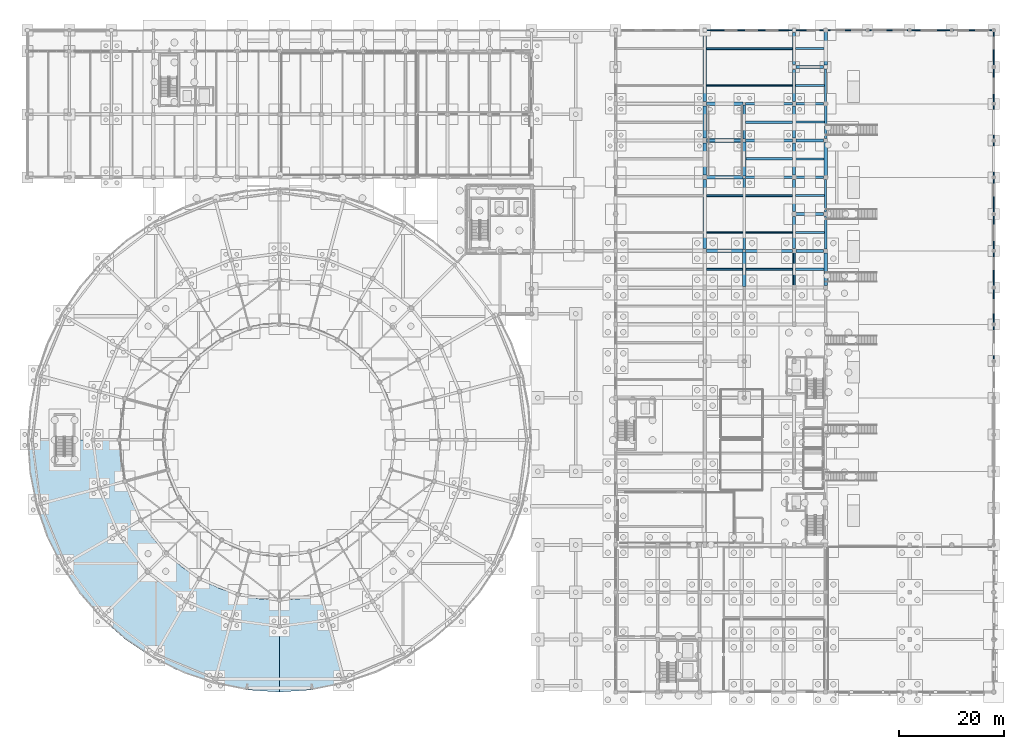
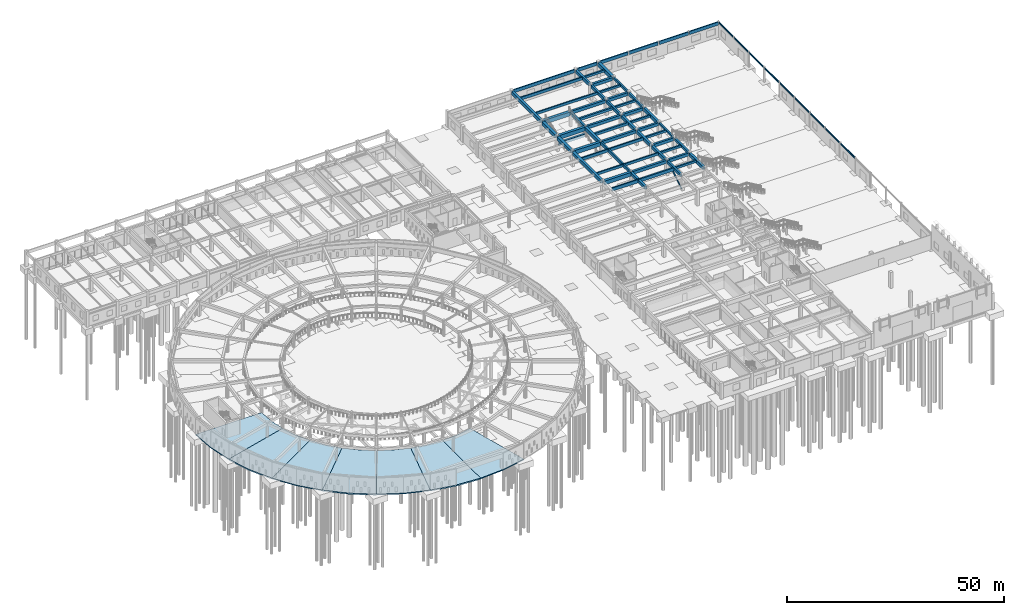
# One storey, part 36 of 84: 66 beams, 7 slabs, 1 member.
"""IFC4 building model written with IfcOpenShell, lengths in metres."""

import ifcopenshell
import ifcopenshell.guid

model = None  # the IFC model being written
_history = None  # IfcOwnerHistory: only IFC2X3 demands one
_inside = {}  # id of a spatial element -> (the spatial element, [elements in it])
_under = {}  # id of a project, library or spatial element -> (it, [spatial elements below it])
_declared = {}  # id of a project -> (the project, [libraries it declares])
_typed = {}  # id of a type object -> (the type object, [elements of that type])
_made_of = {}  # id of a material, layer set ... -> (it, [elements and type objects made of it])


def new_model(schema):
    """Start an empty IFC model of exactly this schema.

    Asked for "IFC4X3", IfcOpenShell would pick the latest addendum, in which some entities
    have other attributes; the version numbers below select the first issue.
    IFC2X3 requires an IfcOwnerHistory on every rooted entity: one is made here for all.
    """
    global model, _history
    if schema == "IFC4X3":
        model = ifcopenshell.file(schema_version=(4, 3, 0, 0))
    else:
        model = ifcopenshell.file(schema=schema)
    _inside.clear()
    _under.clear()
    _declared.clear()
    _typed.clear()
    _made_of.clear()
    _history = None
    if model.schema == "IFC2X3":
        org = make("IfcOrganization", Name="unknown")
        user = make(
            "IfcPersonAndOrganization",
            ThePerson=make("IfcPerson", FamilyName="unknown"),
            TheOrganization=org,
        )
        app = make(
            "IfcApplication",
            ApplicationDeveloper=org,
            Version="unknown",
            ApplicationFullName="unknown",
            ApplicationIdentifier="unknown",
        )
        _history = make(
            "IfcOwnerHistory",
            OwningUser=user,
            OwningApplication=app,
            ChangeAction="ADDED",
            CreationDate=0,
        )
    return model


def make(cls, **values):
    """One entity of the class cls with the attributes given. An attribute that is None is left unset."""
    return model.create_entity(
        cls, **{name: value for name, value in values.items() if value is not None}
    )


def rooted(cls, **values):
    """An entity with a GlobalId (a new one), such as an element, a storey or a relation."""
    return make(cls, GlobalId=ifcopenshell.guid.new(), OwnerHistory=_history, **values)


def si_unit(unit_type, name, prefix=None):
    """IfcSIUnit, for example si_unit("LENGTHUNIT", "METRE", prefix="MILLI")."""
    return make("IfcSIUnit", UnitType=unit_type, Prefix=prefix, Name=name)


def assignment(units):
    """IfcUnitAssignment: the units of a project."""
    return None if units is None else make("IfcUnitAssignment", Units=units)


def point(xyz):
    """IfcCartesianPoint."""
    return None if xyz is None else make("IfcCartesianPoint", Coordinates=xyz)


def direction(xyz):
    """IfcDirection."""
    return None if xyz is None else make("IfcDirection", DirectionRatios=xyz)


def frame(location, z_axis=None, x_axis=None):
    """IfcAxis2Placement3D, a coordinate frame: its origin and axes. An axis left out is left unset."""
    return make(
        "IfcAxis2Placement3D",
        Location=point(location),
        Axis=direction(z_axis),
        RefDirection=direction(x_axis),
    )


def frame_2d(location, x_axis=None):
    """IfcAxis2Placement2D, a coordinate frame in the plane: its origin and x axis."""
    return make(
        "IfcAxis2Placement2D", Location=point(location), RefDirection=direction(x_axis)
    )


def origin():
    """The frame at (0, 0, 0) with its axes left unset."""
    return frame((0.0, 0.0, 0.0))


def origin_2d():
    """The frame at (0, 0) in the plane with its x axis left unset."""
    return frame_2d((0.0, 0.0))


def place(relative_to, where):
    """IfcLocalPlacement: puts the frame where relative to a parent placement (None: the world)."""
    return make(
        "IfcLocalPlacement", PlacementRelTo=relative_to, RelativePlacement=where
    )


def context(
    kind, dimensions, precision=None, world=None, true_north=None, identifier=None
):
    """IfcGeometricRepresentationContext, for example the 3D "Model" context."""
    return make(
        "IfcGeometricRepresentationContext",
        ContextIdentifier=identifier,
        ContextType=kind,
        CoordinateSpaceDimension=dimensions,
        Precision=precision,
        WorldCoordinateSystem=world,
        TrueNorth=true_north,
    )


def subcontext(parent, identifier, kind, view, scale=None):
    """IfcGeometricRepresentationSubContext, for example "Body" below "Model"."""
    return make(
        "IfcGeometricRepresentationSubContext",
        ContextIdentifier=identifier,
        ContextType=kind,
        ParentContext=parent,
        TargetScale=scale,
        TargetView=view,
    )


def project(units=None, contexts=None):
    """IfcProject with its units and contexts."""
    return rooted(
        "IfcProject",
        Name="project",
        RepresentationContexts=contexts,
        UnitsInContext=assignment(units),
    )


def spatial(cls, under=None, at=None, **own):
    """A site, building, storey or space (cls), placed at a placement, below another one or the project."""
    s = rooted(cls, ObjectPlacement=at, **own)
    if under is not None:
        _under.setdefault(under.id(), (under, []))[1].append(s)
    return s


def polyline(points):
    """IfcPolyline through the points."""
    return make("IfcPolyline", Points=[point(p) for p in points])


def profile(cls, at=None, kind="AREA", **sizes):
    """A parametric profile (cls). Its sizes go by their IFC names, for example OverallWidth=200.0."""
    return make(cls, ProfileType=kind, Position=at, **sizes)


def rectangle(**sizes):
    """IfcRectangleProfileDef."""
    return profile("IfcRectangleProfileDef", **sizes)


def i_section(**sizes):
    """IfcIShapeProfileDef."""
    return profile("IfcIShapeProfileDef", **sizes)


def outline(outer, holes=None, kind="AREA"):
    """IfcArbitraryClosedProfileDef: a profile drawn as a closed curve; with holes, ...WithVoids."""
    if holes is None:
        return make("IfcArbitraryClosedProfileDef", ProfileType=kind, OuterCurve=outer)
    return make(
        "IfcArbitraryProfileDefWithVoids",
        ProfileType=kind,
        OuterCurve=outer,
        InnerCurves=holes,
    )


def extrude(swept, where, along, depth):
    """IfcExtrudedAreaSolid: the profile swept, set in the frame where, extruded along a direction by depth."""
    return make(
        "IfcExtrudedAreaSolid",
        SweptArea=swept,
        Position=where,
        ExtrudedDirection=direction(along),
        Depth=depth,
    )


def shape(context_of_items, identifier, shape_type, items):
    """IfcShapeRepresentation: the items that make up one representation, for example the "Body"."""
    return make(
        "IfcShapeRepresentation",
        ContextOfItems=context_of_items,
        RepresentationIdentifier=identifier,
        RepresentationType=shape_type,
        Items=items,
    )


def material(Name=None, Category=None):
    """IfcMaterial."""
    return make("IfcMaterial", Name=Name, Category=Category)


def layer(
    of_material, thickness, ventilated=None, Name=None, Category=None, Priority=None
):
    """IfcMaterialLayer: one layer of a wall or slab, of a material (None: an air gap)."""
    return make(
        "IfcMaterialLayer",
        Material=of_material,
        LayerThickness=thickness,
        IsVentilated=ventilated,
        Name=Name,
        Category=Category,
        Priority=Priority,
    )


def layer_set(layers, Name=None):
    """IfcMaterialLayerSet."""
    return make("IfcMaterialLayerSet", MaterialLayers=layers, LayerSetName=Name)


def material_profile(
    of_material, cross_section, Name=None, Category=None, Priority=None
):
    """IfcMaterialProfile: a cross section and its material."""
    return make(
        "IfcMaterialProfile",
        Name=Name,
        Material=of_material,
        Profile=cross_section,
        Priority=Priority,
        Category=Category,
    )


def profile_set(profiles, Name=None, composite=None):
    """IfcMaterialProfileSet."""
    return make(
        "IfcMaterialProfileSet",
        Name=Name,
        MaterialProfiles=profiles,
        CompositeProfile=composite,
    )


def made_of(thing, what):
    """Note that an element or type object is made of a material, layer set ...; save() writes the relation."""
    if what is not None:
        _made_of.setdefault(what.id(), (what, []))[1].append(thing)
    return thing


def type_object(cls, material=None, **own):
    """A type object (cls), such as IfcWallType, which elements share."""
    return made_of(rooted(cls, **own), material)


def element(
    cls,
    number,
    at=None,
    inside=None,
    cuts=None,
    type_object=None,
    material=None,
    context=None,
    identifier="Body",
    shape_type=None,
    held_by="IfcProductDefinitionShape",
    body=None,
    shapes=None,
    **own,
):
    """One element of the class cls, such as IfcWall. Its Tag is "e" and its number.

    at: its placement. inside: the storey or other place that contains it. cuts: it is an
    opening in that element (IfcRelVoidsElement). A single representation is given by context,
    identifier, shape_type and body (its items); several are given by shapes. held_by: the class
    of the entity that holds the representations. save() writes the other relations.
    """
    e = rooted(cls, Tag="e%d" % number, ObjectPlacement=at, **own)
    if body is not None:
        shapes = [shape(context, identifier, shape_type, body)]
    if shapes is not None:
        e.Representation = make(held_by, Representations=shapes)
    if inside is not None:
        _inside.setdefault(inside.id(), (inside, []))[1].append(e)
    if cuts is not None:
        rooted(
            "IfcRelVoidsElement", RelatingBuildingElement=cuts, RelatedOpeningElement=e
        )
    if type_object is not None:
        _typed.setdefault(type_object.id(), (type_object, []))[1].append(e)
    return made_of(e, material)


def aggregate(whole, parts):
    """IfcRelAggregates: a whole, such as a stair, and the parts it consists of."""
    return rooted("IfcRelAggregates", RelatingObject=whole, RelatedObjects=parts)


def save(model, path):
    """Write the relations noted so far, then the file.

    IfcRelAggregates (storeys below a building ...), IfcRelContainedInSpatialStructure (elements
    in a storey), IfcRelDefinesByType, IfcRelAssociatesMaterial and IfcRelDeclares: one each for
    every whole, place, type object, material and project.
    """
    for whole, parts in _under.values():
        aggregate(whole, parts)
    for where, things in _inside.values():
        rooted(
            "IfcRelContainedInSpatialStructure",
            RelatedElements=things,
            RelatingStructure=where,
        )
    for kind, things in _typed.values():
        rooted("IfcRelDefinesByType", RelatedObjects=things, RelatingType=kind)
    for what, things in _made_of.values():
        rooted("IfcRelAssociatesMaterial", RelatedObjects=things, RelatingMaterial=what)
    for by, libraries in _declared.values():
        rooted("IfcRelDeclares", RelatingContext=by, RelatedDefinitions=libraries)
    model.write(path)


model = new_model("IFC4")

# Units and contexts
model_context = context("Model", 3, precision=1e-05, world=origin(), true_north=direction((0.0, 1.0)))
body_context = subcontext(model_context, "Body", "Model", "MODEL_VIEW")
ifc_project = project(units=[si_unit("LENGTHUNIT", "METRE"), si_unit("AREAUNIT", "SQUARE_METRE"), si_unit("VOLUMEUNIT", "CUBIC_METRE"), si_unit("PLANEANGLEUNIT", "RADIAN"), si_unit("MASSUNIT", "GRAM", prefix="KILO")], contexts=[model_context])

# Site, building, storey
site_placement = place(None, origin())
site = spatial("IfcSite", under=ifc_project, at=site_placement, CompositionType="ELEMENT")
building_placement = place(site_placement, origin())
building = spatial("IfcBuilding", under=site, at=building_placement, Name="Larkveld Mobility Hub", CompositionType="ELEMENT")
storey_placement = place(building_placement, origin())
storey = spatial("IfcBuildingStorey", under=building, at=storey_placement, Name="L00", CompositionType="ELEMENT", Elevation=0.0)

# Beams
ifc_material_1 = material(Name="Precast concrete C50/60", Category="concrete")
ifc_material_profile_1 = material_profile(ifc_material_1, rectangle(XDim=0.300048828125, YDim=0.699951171875, at=origin_2d()), Name="PC DT 300x700")
ifc_profile_set_1 = profile_set([ifc_material_profile_1], Name="Precast concrete C50/60")
beam_type_1 = type_object("IfcBeamType", Name="BM-DT3070", PredefinedType="T_BEAM", material=ifc_profile_set_1)
for number, where, z_axis, x_axis, name in (
    (1, (129.320068359375, 87.5, 3.919921875), (1.0, 0.0, 0.0), (0.0, 1.0, 0.0), "Precast Double-Tee Stem L00-1032"),
    (2, (129.320068359375, 115.5, 3.919921875), (1.0, 0.0, 0.0), (0.0, 1.0, 0.0), "Precast Double-Tee Stem L00-1044"),
):
    element("IfcBeam", number, at=place(storey_placement, frame(where, z_axis=z_axis, x_axis=x_axis)), inside=storey, type_object=beam_type_1, Name=name, PredefinedType="T_BEAM", context=body_context, shape_type="SweptSolid", body=[
        extrude(rectangle(XDim=0.300048828125, YDim=0.699951171875, at=origin_2d()), origin(), (0.0, 0.0, 1.0), 16.409912109375),
    ])
ifc_material_profile_2 = material_profile(ifc_material_1, rectangle(XDim=0.340087890625, YDim=0.800048828125, at=origin_2d()), Name="PC DT 340x800")
ifc_profile_set_2 = profile_set([ifc_material_profile_2], Name="Precast concrete C50/60")
beam_type_2 = type_object("IfcBeamType", Name="BM-DT3480", PredefinedType="T_BEAM", material=ifc_profile_set_2)
for number, where, z_axis, x_axis, name in (
    (3, (129.320068359375, 94.5, 3.8701171875), (1.0, 0.0, 0.0), (0.0, 1.0, 0.0), "Precast Double-Tee Stem L00-1035"),
    (4, (129.320068359375, 122.5, 3.8701171875), (1.0, 0.0, 0.0), (0.0, 1.0, 0.0), "Precast Double-Tee Stem L00-1047"),
):
    element("IfcBeam", number, at=place(storey_placement, frame(where, z_axis=z_axis, x_axis=x_axis)), inside=storey, type_object=beam_type_2, Name=name, PredefinedType="T_BEAM", context=body_context, shape_type="SweptSolid", body=[
        extrude(rectangle(XDim=0.340087890625, YDim=0.800048828125, at=origin_2d()), origin(), (0.0, 0.0, 1.0), 16.409912109375),
    ])
ifc_material_profile_3 = material_profile(ifc_material_1, rectangle(XDim=0.3798828125, YDim=0.89990234375, at=origin_2d()), Name="PC DT 380x900")
ifc_profile_set_3 = profile_set([ifc_material_profile_3], Name="Precast concrete C50/60")
beam_type_3 = type_object("IfcBeamType", Name="BM-DT3890", PredefinedType="T_BEAM", material=ifc_profile_set_3)
beam_1_placement = place(storey_placement, frame((129.320068359375, 80.5, 3.820068359375), z_axis=(1.0, 0.0, 0.0), x_axis=(0.0, 1.0, 0.0)))
element("IfcBeam", 5, at=beam_1_placement, inside=storey, type_object=beam_type_3, Name="Precast Double-Tee Stem L00-1029", PredefinedType="T_BEAM", context=body_context, shape_type="SweptSolid", body=[
    extrude(rectangle(XDim=0.3798828125, YDim=0.89990234375, at=origin_2d()), origin(), (0.0, 0.0, 1.0), 16.409912109375),
])
ifc_material_profile_4 = material_profile(ifc_material_1, rectangle(XDim=0.64990234375, YDim=0.949951171875, at=origin_2d()), Name="PC ITB 650x950")
ifc_profile_set_4 = profile_set([ifc_material_profile_4], Name="Precast concrete C50/60")
beam_type_4 = type_object("IfcBeamType", Name="BM-ITB6595", PredefinedType="T_BEAM", material=ifc_profile_set_4)
beam_2_placement = place(storey_placement, frame((129.0, 84.449951171875, 3.784912109375), z_axis=(0.0, 1.0, 0.0), x_axis=(-1.0, 0.0, 0.0)))
element("IfcBeam", 6, at=beam_2_placement, inside=storey, type_object=beam_type_4, Name="Primary N-S Girder L00-0186", PredefinedType="T_BEAM", context=body_context, shape_type="SweptSolid", body=[
    extrude(rectangle(XDim=0.64990234375, YDim=0.949951171875, at=origin_2d()), origin(), (0.0, 0.0, 1.0), 13.10009765625),
])
for number, where, z_axis, x_axis, name in (
    (7, (129.0, 98.449951171875, 3.784912109375), (0.0, 1.0, 0.0), (-1.0, 0.0, 0.0), "Primary N-S Girder L00-0187"),
    (8, (129.0, 105.449951171875, 3.784912109375), (0.0, 1.0, 0.0), (-1.0, 0.0, 0.0), "Primary N-S Girder L00-0188"),
):
    element("IfcBeam", number, at=place(storey_placement, frame(where, z_axis=z_axis, x_axis=x_axis)), inside=storey, type_object=beam_type_4, Name=name, PredefinedType="T_BEAM", context=body_context, shape_type="SweptSolid", body=[
        extrude(rectangle(XDim=0.64990234375, YDim=0.949951171875, at=origin_2d()), origin(), (0.0, 0.0, 1.0), 6.10009765625),
    ])
beam_3_placement = place(storey_placement, frame((129.0, 112.449951171875, 3.784912109375), z_axis=(0.0, 1.0, 0.0), x_axis=(-1.0, 0.0, 0.0)))
element("IfcBeam", 9, at=beam_3_placement, inside=storey, type_object=beam_type_4, Name="Primary N-S Girder L00-0189", PredefinedType="T_BEAM", context=body_context, shape_type="SweptSolid", body=[
    extrude(rectangle(XDim=0.64990234375, YDim=0.949951171875, at=origin_2d()), origin(), (0.0, 0.0, 1.0), 13.10009765625),
])
ifc_material_2 = material(Name="Concrete C40/50", Category="concrete")
ifc_material_profile_5 = material_profile(ifc_material_2, rectangle(XDim=0.39990234375, YDim=0.60009765625, at=origin_2d()), Name="RC BM 400x600")
ifc_profile_set_5 = profile_set([ifc_material_profile_5], Name="Concrete C40/50")
beam_type_5 = type_object("IfcBeamType", Name="BM-RC4060", PredefinedType="BEAM", material=ifc_profile_set_5)
beam_4_placement = place(storey_placement, frame((152.0, 91.375, 3.9599609375), z_axis=(0.0, 1.0, 0.0), x_axis=(-1.0, 0.0, 0.0)))
element("IfcBeam", 10, at=beam_4_placement, inside=storey, type_object=beam_type_5, Name="Primary N-S Girder L00-0223", PredefinedType="BEAM", context=body_context, shape_type="SweptSolid", body=[
    extrude(rectangle(XDim=0.39990234375, YDim=0.60009765625, at=origin_2d()), origin(), (0.0, 0.0, 1.0), 6.25),
])
beam_5_placement = place(storey_placement, frame((146.27001953125, 80.5, 3.969970703125), z_axis=(1.0, 0.0, 0.0), x_axis=(0.0, 1.0, 0.0)))
element("IfcBeam", 11, at=beam_5_placement, inside=storey, type_object=beam_type_5, Name="Concourse Spine Joist L00-1030", PredefinedType="BEAM", context=body_context, shape_type="SweptSolid", body=[
    extrude(rectangle(XDim=0.39990234375, YDim=0.60009765625, at=origin_2d()), origin(), (0.0, 0.0, 1.0), 5.43505859375),
])
beam_6_placement = place(storey_placement, frame((146.27001953125, 87.5, 3.969970703125), z_axis=(1.0, 0.0, 0.0), x_axis=(0.0, 1.0, 0.0)))
element("IfcBeam", 12, at=beam_6_placement, inside=storey, type_object=beam_type_5, Name="Concourse Spine Joist L00-1033", PredefinedType="BEAM", context=body_context, shape_type="SweptSolid", body=[
    extrude(rectangle(XDim=0.39990234375, YDim=0.60009765625, at=origin_2d()), origin(), (0.0, 0.0, 1.0), 5.510009765625),
])
beam_7_placement = place(storey_placement, frame((146.27001953125, 94.5, 3.969970703125), z_axis=(1.0, 0.0, 0.0), x_axis=(0.0, 1.0, 0.0)))
element("IfcBeam", 13, at=beam_7_placement, inside=storey, type_object=beam_type_5, Name="Concourse Spine Joist L00-1036", PredefinedType="BEAM", context=body_context, shape_type="SweptSolid", body=[
    extrude(rectangle(XDim=0.39990234375, YDim=0.60009765625, at=origin_2d()), origin(), (0.0, 0.0, 1.0), 5.534912109375),
])
beam_8_placement = place(storey_placement, frame((146.27001953125, 101.5, 3.969970703125), z_axis=(1.0, 0.0, 0.0), x_axis=(0.0, 1.0, 0.0)))
element("IfcBeam", 14, at=beam_8_placement, inside=storey, type_object=beam_type_5, Name="Concourse Spine Joist L00-1039", PredefinedType="BEAM", context=body_context, shape_type="SweptSolid", body=[
    extrude(rectangle(XDim=0.39990234375, YDim=0.60009765625, at=origin_2d()), origin(), (0.0, 0.0, 1.0), 5.409912109375),
])
beam_9_placement = place(storey_placement, frame((146.27001953125, 108.5, 3.969970703125), z_axis=(1.0, 0.0, 0.0), x_axis=(0.0, 1.0, 0.0)))
element("IfcBeam", 15, at=beam_9_placement, inside=storey, type_object=beam_type_5, Name="Concourse Spine Joist L00-1042", PredefinedType="BEAM", context=body_context, shape_type="SweptSolid", body=[
    extrude(rectangle(XDim=0.39990234375, YDim=0.60009765625, at=origin_2d()), origin(), (0.0, 0.0, 1.0), 5.48486328125),
])
beam_10_placement = place(storey_placement, frame((146.27001953125, 115.5, 3.969970703125), z_axis=(1.0, 0.0, 0.0), x_axis=(0.0, 1.0, 0.0)))
element("IfcBeam", 16, at=beam_10_placement, inside=storey, type_object=beam_type_5, Name="Concourse Spine Joist L00-1045", PredefinedType="BEAM", context=body_context, shape_type="SweptSolid", body=[
    extrude(rectangle(XDim=0.39990234375, YDim=0.60009765625, at=origin_2d()), origin(), (0.0, 0.0, 1.0), 5.534912109375),
])
beam_11_placement = place(storey_placement, frame((146.27001953125, 122.5, 3.969970703125), z_axis=(1.0, 0.0, 0.0), x_axis=(0.0, 1.0, 0.0)))
element("IfcBeam", 17, at=beam_11_placement, inside=storey, type_object=beam_type_5, Name="Concourse Spine Joist L00-1048", PredefinedType="BEAM", context=body_context, shape_type="SweptSolid", body=[
    extrude(rectangle(XDim=0.39990234375, YDim=0.60009765625, at=origin_2d()), origin(), (0.0, 0.0, 1.0), 5.385009765625),
])
ifc_material_profile_6 = material_profile(ifc_material_2, rectangle(XDim=0.39990234375, YDim=0.64990234375, at=origin_2d()), Name="RC BM 400x650")
ifc_profile_set_6 = profile_set([ifc_material_profile_6], Name="Concrete C40/50")
beam_type_6 = type_object("IfcBeamType", Name="BM-RC4065", PredefinedType="BEAM", material=ifc_profile_set_6)
beam_12_placement = place(storey_placement, frame((152.0, 112.375, 3.93505859375), z_axis=(0.0, 1.0, 0.0), x_axis=(-1.0, 0.0, 0.0)))
element("IfcBeam", 18, at=beam_12_placement, inside=storey, type_object=beam_type_6, Name="Primary N-S Girder L00-0226", PredefinedType="BEAM", context=body_context, shape_type="SweptSolid", body=[
    extrude(rectangle(XDim=0.39990234375, YDim=0.64990234375, at=origin_2d()), origin(), (0.0, 0.0, 1.0), 6.25),
])
ifc_material_profile_7 = material_profile(ifc_material_2, rectangle(XDim=0.449951171875, YDim=0.699951171875, at=origin_2d()), Name="RC BM 450x700")
ifc_profile_set_7 = profile_set([ifc_material_profile_7], Name="Concrete C40/50")
beam_type_7 = type_object("IfcBeamType", Name="BM-RC4570", PredefinedType="BEAM", material=ifc_profile_set_7)
beam_13_placement = place(storey_placement, frame((136.820068359375, 101.5, 3.919921875), z_axis=(1.0, 0.0, 0.0), x_axis=(0.0, 1.0, 0.0)))
element("IfcBeam", 19, at=beam_13_placement, inside=storey, type_object=beam_type_7, Name="Ramp Bay Header Beam L00-1038", PredefinedType="BEAM", context=body_context, shape_type="SweptSolid", body=[
    extrude(rectangle(XDim=0.449951171875, YDim=0.699951171875, at=origin_2d()), origin(), (0.0, 0.0, 1.0), 8.909912109375),
])
beam_14_placement = place(storey_placement, frame((136.7451171875, 108.5, 3.919921875), z_axis=(1.0, 0.0, 0.0), x_axis=(0.0, 1.0, 0.0)))
element("IfcBeam", 20, at=beam_14_placement, inside=storey, type_object=beam_type_7, Name="Ramp Bay Header Beam L00-1041", PredefinedType="BEAM", context=body_context, shape_type="SweptSolid", body=[
    extrude(rectangle(XDim=0.449951171875, YDim=0.699951171875, at=origin_2d()), origin(), (0.0, 0.0, 1.0), 8.98486328125),
])
ifc_material_profile_8 = material_profile(ifc_material_2, rectangle(XDim=0.449951171875, YDim=0.75, at=origin_2d()), Name="RC BM 450x750")
ifc_profile_set_8 = profile_set([ifc_material_profile_8], Name="Concrete C40/50")
beam_type_8 = type_object("IfcBeamType", Name="BM-RC4575", PredefinedType="BEAM", material=ifc_profile_set_8)
beam_15_placement = place(storey_placement, frame((136.5, 84.25, 3.885009765625), z_axis=(0.0, 1.0, 0.0), x_axis=(-1.0, 0.0, 0.0)))
element("IfcBeam", 21, at=beam_15_placement, inside=storey, type_object=beam_type_8, Name="Primary N-S Girder L00-0195", PredefinedType="BEAM", context=body_context, shape_type="SweptSolid", body=[
    extrude(rectangle(XDim=0.449951171875, YDim=0.75, at=origin_2d()), origin(), (0.0, 0.0, 1.0), 13.5),
])
beam_16_placement = place(storey_placement, frame((152.0, 84.375, 3.885009765625), z_axis=(0.0, 1.0, 0.0), x_axis=(-1.0, 0.0, 0.0)))
element("IfcBeam", 22, at=beam_16_placement, inside=storey, type_object=beam_type_8, Name="Primary N-S Girder L00-0222", PredefinedType="BEAM", context=body_context, shape_type="SweptSolid", body=[
    extrude(rectangle(XDim=0.449951171875, YDim=0.75, at=origin_2d()), origin(), (0.0, 0.0, 1.0), 6.25),
])
ifc_material_profile_9 = material_profile(ifc_material_2, rectangle(XDim=0.5, YDim=0.800048828125, at=origin_2d()), Name="RC BM 500x800")
ifc_profile_set_9 = profile_set([ifc_material_profile_9], Name="Concrete C40/50")
beam_type_9 = type_object("IfcBeamType", Name="BM-RC5080", PredefinedType="BEAM", material=ifc_profile_set_9)
beam_17_placement = place(storey_placement, frame((136.5, 105.25, 3.860107421875), z_axis=(0.0, 1.0, 0.0), x_axis=(-1.0, 0.0, 0.0)))
element("IfcBeam", 23, at=beam_17_placement, inside=storey, type_object=beam_type_9, Name="Primary N-S Girder L00-0197", PredefinedType="BEAM", context=body_context, shape_type="SweptSolid", body=[
    extrude(rectangle(XDim=0.5, YDim=0.800048828125, at=origin_2d()), origin(), (0.0, 0.0, 1.0), 6.5),
])
beam_18_placement = place(storey_placement, frame((152.0, 105.375, 3.860107421875), z_axis=(0.0, 1.0, 0.0), x_axis=(-1.0, 0.0, 0.0)))
element("IfcBeam", 24, at=beam_18_placement, inside=storey, type_object=beam_type_9, Name="Primary N-S Girder L00-0225", PredefinedType="BEAM", context=body_context, shape_type="SweptSolid", body=[
    extrude(rectangle(XDim=0.5, YDim=0.800048828125, at=origin_2d()), origin(), (0.0, 0.0, 1.0), 6.25),
])
beam_19_placement = place(storey_placement, frame((129.280029296875, 105.0, 1.85205078125), z_axis=(1.0, 0.0, 0.0), x_axis=(0.0, 1.0, 0.0)))
element("IfcBeam", 25, at=beam_19_placement, inside=storey, type_object=beam_type_9, Name="EV Ramp Mid Support Beam L00-1773", PredefinedType="BEAM", context=body_context, shape_type="SweptSolid", body=[
    extrude(rectangle(XDim=0.5, YDim=0.800048828125, at=origin_2d()), origin(), (0.0, 0.0, 1.0), 6.989990234375),
])
ifc_material_profile_10 = material_profile(ifc_material_2, rectangle(XDim=0.550048828125, YDim=0.85009765625, at=origin_2d()), Name="RC BM 550x850")
ifc_profile_set_10 = profile_set([ifc_material_profile_10], Name="Concrete C40/50")
beam_type_10 = type_object("IfcBeamType", Name="BM-RC5585", PredefinedType="BEAM", material=ifc_profile_set_10)
beam_20_placement = place(storey_placement, frame((136.75, 84.0, 3.8349609375), z_axis=(1.0, 0.0, 0.0), x_axis=(0.0, 1.0, 0.0)))
element("IfcBeam", 26, at=beam_20_placement, inside=storey, type_object=beam_type_10, Name="Primary E-W Girder L00-0041", PredefinedType="BEAM", context=body_context, shape_type="SweptSolid", body=[
    extrude(rectangle(XDim=0.550048828125, YDim=0.85009765625, at=origin_2d()), origin(), (0.0, 0.0, 1.0), 8.925048828125),
])
for number, where, z_axis, x_axis, name in (
    (27, (146.324951171875, 84.0, 3.8349609375), (1.0, 0.0, 0.0), (0.0, 1.0, 0.0), "Primary E-W Girder L00-0042"),
    (28, (146.324951171875, 91.0, 3.8349609375), (1.0, 0.0, 0.0), (0.0, 1.0, 0.0), "Primary E-W Girder L00-0043"),
):
    element("IfcBeam", number, at=place(storey_placement, frame(where, z_axis=z_axis, x_axis=x_axis)), inside=storey, type_object=beam_type_10, Name=name, PredefinedType="BEAM", context=body_context, shape_type="SweptSolid", body=[
        extrude(rectangle(XDim=0.550048828125, YDim=0.85009765625, at=origin_2d()), origin(), (0.0, 0.0, 1.0), 5.300048828125),
    ])
beam_21_placement = place(storey_placement, frame((136.75, 98.0, 3.8349609375), z_axis=(1.0, 0.0, 0.0), x_axis=(0.0, 1.0, 0.0)))
element("IfcBeam", 29, at=beam_21_placement, inside=storey, type_object=beam_type_10, Name="Primary E-W Girder L00-0061", PredefinedType="BEAM", context=body_context, shape_type="SweptSolid", body=[
    extrude(rectangle(XDim=0.550048828125, YDim=0.85009765625, at=origin_2d()), origin(), (0.0, 0.0, 1.0), 8.925048828125),
])
beam_22_placement = place(storey_placement, frame((146.324951171875, 98.0, 3.8349609375), z_axis=(1.0, 0.0, 0.0), x_axis=(0.0, 1.0, 0.0)))
element("IfcBeam", 30, at=beam_22_placement, inside=storey, type_object=beam_type_10, Name="Primary E-W Girder L00-0062", PredefinedType="BEAM", context=body_context, shape_type="SweptSolid", body=[
    extrude(rectangle(XDim=0.550048828125, YDim=0.85009765625, at=origin_2d()), origin(), (0.0, 0.0, 1.0), 5.300048828125),
])
beam_23_placement = place(storey_placement, frame((136.75, 105.0, 3.8349609375), z_axis=(1.0, 0.0, 0.0), x_axis=(0.0, 1.0, 0.0)))
element("IfcBeam", 31, at=beam_23_placement, inside=storey, type_object=beam_type_10, Name="Primary E-W Girder L00-0065", PredefinedType="BEAM", context=body_context, shape_type="SweptSolid", body=[
    extrude(rectangle(XDim=0.550048828125, YDim=0.85009765625, at=origin_2d()), origin(), (0.0, 0.0, 1.0), 8.925048828125),
])
beam_24_placement = place(storey_placement, frame((146.324951171875, 105.0, 3.8349609375), z_axis=(1.0, 0.0, 0.0), x_axis=(0.0, 1.0, 0.0)))
element("IfcBeam", 32, at=beam_24_placement, inside=storey, type_object=beam_type_10, Name="Primary E-W Girder L00-0066", PredefinedType="BEAM", context=body_context, shape_type="SweptSolid", body=[
    extrude(rectangle(XDim=0.550048828125, YDim=0.85009765625, at=origin_2d()), origin(), (0.0, 0.0, 1.0), 5.300048828125),
])
beam_25_placement = place(storey_placement, frame((136.75, 112.0, 3.8349609375), z_axis=(1.0, 0.0, 0.0), x_axis=(0.0, 1.0, 0.0)))
element("IfcBeam", 33, at=beam_25_placement, inside=storey, type_object=beam_type_10, Name="Primary E-W Girder L00-0081", PredefinedType="BEAM", context=body_context, shape_type="SweptSolid", body=[
    extrude(rectangle(XDim=0.550048828125, YDim=0.85009765625, at=origin_2d()), origin(), (0.0, 0.0, 1.0), 8.925048828125),
])
for number, where, z_axis, x_axis, name in (
    (34, (146.324951171875, 112.0, 3.8349609375), (1.0, 0.0, 0.0), (0.0, 1.0, 0.0), "Primary E-W Girder L00-0082"),
    (35, (146.324951171875, 119.0, 3.8349609375), (1.0, 0.0, 0.0), (0.0, 1.0, 0.0), "Primary E-W Girder L00-0083"),
):
    element("IfcBeam", number, at=place(storey_placement, frame(where, z_axis=z_axis, x_axis=x_axis)), inside=storey, type_object=beam_type_10, Name=name, PredefinedType="BEAM", context=body_context, shape_type="SweptSolid", body=[
        extrude(rectangle(XDim=0.550048828125, YDim=0.85009765625, at=origin_2d()), origin(), (0.0, 0.0, 1.0), 5.300048828125),
    ])
for number, where, z_axis, x_axis, name in (
    (36, (146.0, 77.449951171875, 3.8349609375), (0.0, 1.0, 0.0), (-1.0, 0.0, 0.0), "Primary N-S Girder L00-0204"),
    (37, (146.0, 84.449951171875, 3.8349609375), (0.0, 1.0, 0.0), (-1.0, 0.0, 0.0), "Primary N-S Girder L00-0205"),
    (38, (146.0, 91.449951171875, 3.8349609375), (0.0, 1.0, 0.0), (-1.0, 0.0, 0.0), "Primary N-S Girder L00-0206"),
    (39, (146.0, 98.449951171875, 3.8349609375), (0.0, 1.0, 0.0), (-1.0, 0.0, 0.0), "Primary N-S Girder L00-0207"),
    (40, (146.0, 105.449951171875, 3.8349609375), (0.0, 1.0, 0.0), (-1.0, 0.0, 0.0), "Primary N-S Girder L00-0208"),
    (41, (146.0, 112.449951171875, 3.8349609375), (0.0, 1.0, 0.0), (-1.0, 0.0, 0.0), "Primary N-S Girder L00-0209"),
    (42, (146.0, 119.449951171875, 3.8349609375), (0.0, 1.0, 0.0), (-1.0, 0.0, 0.0), "Primary N-S Girder L00-0210"),
):
    element("IfcBeam", number, at=place(storey_placement, frame(where, z_axis=z_axis, x_axis=x_axis)), inside=storey, type_object=beam_type_10, Name=name, PredefinedType="BEAM", context=body_context, shape_type="SweptSolid", body=[
        extrude(rectangle(XDim=0.550048828125, YDim=0.85009765625, at=origin_2d()), origin(), (0.0, 0.0, 1.0), 6.10009765625),
    ])
ifc_material_profile_11 = material_profile(ifc_material_2, rectangle(XDim=0.60009765625, YDim=0.89990234375, at=origin_2d()), Name="RC BM 600x900")
ifc_profile_set_11 = profile_set([ifc_material_profile_11], Name="Concrete C40/50")
beam_type_11 = type_object("IfcBeamType", Name="BM-RC6090", PredefinedType="BEAM", material=ifc_profile_set_11)
beam_26_placement = place(storey_placement, frame((136.5, 77.25, 3.81005859375), z_axis=(0.0, 1.0, 0.0), x_axis=(-1.0, 0.0, 0.0)))
element("IfcBeam", 43, at=beam_26_placement, inside=storey, type_object=beam_type_11, Name="Primary N-S Girder L00-0194", PredefinedType="BEAM", context=body_context, shape_type="SweptSolid", body=[
    extrude(rectangle(XDim=0.60009765625, YDim=0.89990234375, at=origin_2d()), origin(), (0.0, 0.0, 1.0), 6.5),
])
beam_27_placement = place(storey_placement, frame((152.0, 77.375, 3.81005859375), z_axis=(0.0, 1.0, 0.0), x_axis=(-1.0, 0.0, 0.0)))
element("IfcBeam", 44, at=beam_27_placement, inside=storey, type_object=beam_type_11, Name="Primary N-S Girder L00-0221", PredefinedType="BEAM", context=body_context, shape_type="SweptSolid", body=[
    extrude(rectangle(XDim=0.60009765625, YDim=0.89990234375, at=origin_2d()), origin(), (0.0, 0.0, 1.0), 6.25),
])
ifc_material_profile_12 = material_profile(ifc_material_2, rectangle(XDim=0.64990234375, YDim=1.0, at=origin_2d()), Name="RC BM 650x1000")
ifc_profile_set_12 = profile_set([ifc_material_profile_12], Name="Concrete C40/50")
beam_type_12 = type_object("IfcBeamType", Name="BM-RC65100", PredefinedType="BEAM", material=ifc_profile_set_12)
beam_28_placement = place(storey_placement, frame((136.5, 98.25, 3.760009765625), z_axis=(0.0, 1.0, 0.0), x_axis=(-1.0, 0.0, 0.0)))
element("IfcBeam", 45, at=beam_28_placement, inside=storey, type_object=beam_type_12, Name="Primary N-S Girder L00-0196", PredefinedType="BEAM", context=body_context, shape_type="SweptSolid", body=[
    extrude(rectangle(XDim=0.64990234375, YDim=1.0, at=origin_2d()), origin(), (0.0, 0.0, 1.0), 6.5),
])
beam_29_placement = place(storey_placement, frame((152.0, 98.375, 3.760009765625), z_axis=(0.0, 1.0, 0.0), x_axis=(-1.0, 0.0, 0.0)))
element("IfcBeam", 46, at=beam_29_placement, inside=storey, type_object=beam_type_12, Name="Primary N-S Girder L00-0224", PredefinedType="BEAM", context=body_context, shape_type="SweptSolid", body=[
    extrude(rectangle(XDim=0.64990234375, YDim=1.0, at=origin_2d()), origin(), (0.0, 0.0, 1.0), 6.25),
])
ifc_material_profile_13 = material_profile(ifc_material_2, rectangle(XDim=0.699951171875, YDim=1.10009765625, at=origin_2d()), Name="RC BM 700x1100")
ifc_profile_set_13 = profile_set([ifc_material_profile_13], Name="Concrete C40/50")
beam_type_13 = type_object("IfcBeamType", Name="BM-RC70110", PredefinedType="BEAM", material=ifc_profile_set_13)
for number, where, z_axis, x_axis, name in (
    (47, (129.324951171875, 84.0, 3.7099609375), (1.0, 0.0, 0.0), (0.0, 1.0, 0.0), "Primary E-W Girder L00-0040"),
    (48, (129.324951171875, 98.0, 3.7099609375), (1.0, 0.0, 0.0), (0.0, 1.0, 0.0), "Primary E-W Girder L00-0060"),
    (49, (129.324951171875, 105.0, 3.7099609375), (1.0, 0.0, 0.0), (0.0, 1.0, 0.0), "Primary E-W Girder L00-0064"),
    (50, (129.324951171875, 112.0, 3.7099609375), (1.0, 0.0, 0.0), (0.0, 1.0, 0.0), "Primary E-W Girder L00-0080"),
):
    element("IfcBeam", number, at=place(storey_placement, frame(where, z_axis=z_axis, x_axis=x_axis)), inside=storey, type_object=beam_type_13, Name=name, PredefinedType="BEAM", context=body_context, shape_type="SweptSolid", body=[
        extrude(rectangle(XDim=0.699951171875, YDim=1.10009765625, at=origin_2d()), origin(), (0.0, 0.0, 1.0), 6.925048828125),
    ])
beam_30_placement = place(storey_placement, frame((152.0, 119.375, 3.7099609375), z_axis=(0.0, 1.0, 0.0), x_axis=(-1.0, 0.0, 0.0)))
element("IfcBeam", 51, at=beam_30_placement, inside=storey, type_object=beam_type_13, Name="Primary N-S Girder L00-0227", PredefinedType="BEAM", context=body_context, shape_type="SweptSolid", body=[
    extrude(rectangle(XDim=0.699951171875, YDim=1.10009765625, at=origin_2d()), origin(), (0.0, 0.0, 1.0), 6.25),
])
ifc_material_profile_14 = material_profile(ifc_material_1, rectangle(XDim=0.280029296875, YDim=0.89990234375, at=origin_2d()), Name="PC SP 280x900")
ifc_profile_set_14 = profile_set([ifc_material_profile_14], Name="Precast concrete C50/60")
beam_type_14 = type_object("IfcBeamType", Name="BM-SP2890", PredefinedType="SPANDREL", material=ifc_profile_set_14)
beam_31_placement = place(storey_placement, frame((129.324951171875, 126.0, 3.81005859375), z_axis=(1.0, 0.0, 0.0), x_axis=(0.0, 1.0, 0.0)))
element("IfcBeam", 52, at=beam_31_placement, inside=storey, type_object=beam_type_14, Name="Primary E-W Girder L00-0109", PredefinedType="SPANDREL", context=body_context, shape_type="SweptSolid", body=[
    extrude(rectangle(XDim=0.280029296875, YDim=0.89990234375, at=origin_2d()), origin(), (0.0, 0.0, 1.0), 16.35009765625),
])
beam_32_placement = place(storey_placement, frame((146.324951171875, 126.0, 3.81005859375), z_axis=(1.0, 0.0, 0.0), x_axis=(0.0, 1.0, 0.0)))
element("IfcBeam", 53, at=beam_32_placement, inside=storey, type_object=beam_type_14, Name="Primary E-W Girder L00-0110", PredefinedType="SPANDREL", context=body_context, shape_type="SweptSolid", body=[
    extrude(rectangle(XDim=0.280029296875, YDim=0.89990234375, at=origin_2d()), origin(), (0.0, 0.0, 1.0), 5.300048828125),
])
beam_33_placement = place(storey_placement, frame((152.375, 126.0, 3.81005859375), z_axis=(1.0, 0.0, 0.0), x_axis=(0.0, 1.0, 0.0)))
element("IfcBeam", 54, at=beam_33_placement, inside=storey, type_object=beam_type_14, Name="Primary E-W Girder L00-0111", PredefinedType="SPANDREL", context=body_context, shape_type="SweptSolid", body=[
    extrude(rectangle(XDim=0.280029296875, YDim=0.89990234375, at=origin_2d()), origin(), (0.0, 0.0, 1.0), 7.469970703125),
])
for number, where, z_axis, x_axis, name in (
    (55, (160.155029296875, 126.0, 3.81005859375), (1.0, 0.0, 0.0), (0.0, 1.0, 0.0), "Primary E-W Girder L00-0112"),
    (56, (168.155029296875, 126.0, 3.81005859375), (1.0, 0.0, 0.0), (0.0, 1.0, 0.0), "Primary E-W Girder L00-0113"),
):
    element("IfcBeam", number, at=place(storey_placement, frame(where, z_axis=z_axis, x_axis=x_axis)), inside=storey, type_object=beam_type_14, Name=name, PredefinedType="SPANDREL", context=body_context, shape_type="SweptSolid", body=[
        extrude(rectangle(XDim=0.280029296875, YDim=0.89990234375, at=origin_2d()), origin(), (0.0, 0.0, 1.0), 7.68994140625),
    ])
beam_34_placement = place(storey_placement, frame((176.155029296875, 126.0, 3.81005859375), z_axis=(1.0, 0.0, 0.0), x_axis=(0.0, 1.0, 0.0)))
element("IfcBeam", 57, at=beam_34_placement, inside=storey, type_object=beam_type_14, Name="Primary E-W Girder L00-0114", PredefinedType="SPANDREL", context=body_context, shape_type="SweptSolid", body=[
    extrude(rectangle(XDim=0.280029296875, YDim=0.89990234375, at=origin_2d()), origin(), (0.0, 0.0, 1.0), 7.658935546875),
])
ifc_material_3 = material(Name="Steel S355JR", Category="steel")
ifc_material_profile_15 = material_profile(ifc_material_3, i_section(OverallWidth=0.18994140625, OverallDepth=0.449951171875, WebThickness=0.009521484375, FlangeThickness=0.0146484375, FilletRadius=0.02099609375, at=origin_2d()), Name="IPE 450")
ifc_profile_set_15 = profile_set([ifc_material_profile_15], Name="Steel S355JR")
beam_type_15 = type_object("IfcBeamType", Name="BM-STIPE450", PredefinedType="BEAM", material=ifc_profile_set_15)
for number, where, z_axis, x_axis, name in (
    (58, (184.0, 63.18408203125, 4.034912109375), (0.0, 1.0, 0.0), (-1.0, 0.0, 0.0), "Bus Hall Wind Girt L00-0233"),
    (59, (184.0, 70.18408203125, 4.034912109375), (0.0, 1.0, 0.0), (-1.0, 0.0, 0.0), "Bus Hall Wind Girt L00-0234"),
    (60, (184.0, 77.18408203125, 4.034912109375), (0.0, 1.0, 0.0), (-1.0, 0.0, 0.0), "Bus Hall Wind Girt L00-0235"),
    (61, (184.0, 84.18408203125, 4.034912109375), (0.0, 1.0, 0.0), (-1.0, 0.0, 0.0), "Bus Hall Wind Girt L00-0236"),
    (62, (184.0, 91.18408203125, 4.034912109375), (0.0, 1.0, 0.0), (-1.0, 0.0, 0.0), "Bus Hall Wind Girt L00-0237"),
    (63, (184.0, 98.18408203125, 4.034912109375), (0.0, 1.0, 0.0), (-1.0, 0.0, 0.0), "Bus Hall Wind Girt L00-0238"),
    (64, (184.0, 105.18408203125, 4.034912109375), (0.0, 1.0, 0.0), (-1.0, 0.0, 0.0), "Bus Hall Wind Girt L00-0239"),
    (65, (184.0, 112.18408203125, 4.034912109375), (0.0, 1.0, 0.0), (-1.0, 0.0, 0.0), "Bus Hall Wind Girt L00-0240"),
    (66, (184.0, 119.18408203125, 4.034912109375), (0.0, 1.0, 0.0), (-1.0, 0.0, 0.0), "Bus Hall Wind Girt L00-0241"),
):
    element("IfcBeam", number, at=place(storey_placement, frame(where, z_axis=z_axis, x_axis=x_axis)), inside=storey, type_object=beam_type_15, Name=name, PredefinedType="BEAM", context=body_context, shape_type="SweptSolid", body=[
        extrude(i_section(OverallWidth=0.18994140625, OverallDepth=0.449951171875, WebThickness=0.009521484375, FlangeThickness=0.0146484375, FilletRadius=0.02099609375, at=origin_2d()), origin(), (0.0, 0.0, 1.0), 6.6318359375),
    ])

# Member
ifc_material_profile_16 = material_profile(ifc_material_3, i_section(OverallWidth=0.239990234375, OverallDepth=0.239990234375, WebThickness=0.010009765625, FlangeThickness=0.01708984375, FilletRadius=0.02099609375, at=origin_2d()), Name="HEB 240")
ifc_profile_set_16 = profile_set([ifc_material_profile_16], Name="Steel S355JR")
member_type = type_object("IfcMemberType", Name="MB-BR-HEB240", PredefinedType="BRACE", material=ifc_profile_set_16)
member_placement = place(storey_placement, frame((146.0, 77.179931640625, 0.10009765625), z_axis=(0.0, 0.842253403203, 0.539081816419), x_axis=(-1.0, 0.0, 0.0)))
element("IfcMember", 67, at=member_placement, inside=storey, type_object=member_type, Name="Lateral Diagonal Brace LB-03", PredefinedType="BRACE", context=body_context, shape_type="SweptSolid", body=[
    extrude(i_section(OverallWidth=0.239990234375, OverallDepth=0.239990234375, WebThickness=0.010009765625, FlangeThickness=0.01708984375, FilletRadius=0.02099609375, at=origin_2d()), origin(), (0.0, 0.0, 1.0), 7.8837890625),
])

# Slabs
ifc_layer_1 = layer(ifc_material_2, 0.27490234375, Name="Concrete C40/50", Category="concrete")
ifc_layer_set_1 = layer_set([ifc_layer_1], Name="Concrete C40/50")
slab_type_1 = type_object("IfcSlabType", Name="SL-BS-275", PredefinedType="BASESLAB", material=ifc_layer_set_1)
slab_1_placement = place(storey_placement, frame((0.0, 0.0, -0.27490234375)))
element("IfcSlab", 68, at=slab_1_placement, inside=storey, type_object=slab_type_1, Name="Drum Parking Deck Slab L00-018", PredefinedType="BASESLAB", context=body_context, shape_type="SweptSolid", body=[
    extrude(outline(polyline([(0.0, 48.0), (0.410888671875, 41.735107421875), (1.635986328125, 35.576904296875), (18.5390625, 40.10595703125), (17.760986328125, 44.01904296875), (17.5, 48.0), (0.0, 48.0)])), origin(), (0.0, 0.0, 1.0), 0.27490234375),
])
slab_2_placement = place(storey_placement, frame((0.0, 0.0, -0.27490234375)))
element("IfcSlab", 69, at=slab_2_placement, inside=storey, type_object=slab_type_1, Name="Drum Parking Deck Slab L00-020", PredefinedType="BASESLAB", context=body_context, shape_type="SweptSolid", body=[
    extrude(outline(polyline([(6.430908203125, 24.0), (9.9189453125, 18.779052734375), (14.05908203125, 14.05908203125), (26.43310546875, 26.43310546875), (23.802978515625, 29.43310546875), (21.5859375, 32.75), (6.430908203125, 24.0)])), origin(), (0.0, 0.0, 1.0), 0.27490234375),
])
slab_3_placement = place(storey_placement, frame((0.0, 0.0, -0.27490234375)))
element("IfcSlab", 70, at=slab_3_placement, inside=storey, type_object=slab_type_1, Name="Drum Parking Deck Slab L00-022", PredefinedType="BASESLAB", context=body_context, shape_type="SweptSolid", body=[
    extrude(outline(polyline([(24.0, 6.430908203125), (29.631103515625, 3.654052734375), (35.576904296875, 1.635986328125), (40.10595703125, 18.5390625), (36.327880859375, 19.822021484375), (32.75, 21.5859375), (24.0, 6.430908203125)])), origin(), (0.0, 0.0, 1.0), 0.27490234375),
])
slab_4_placement = place(storey_placement, frame((0.0, 0.0, -0.27490234375)))
element("IfcSlab", 71, at=slab_4_placement, inside=storey, type_object=slab_type_1, Name="Drum Parking Deck Slab L00-024", PredefinedType="BASESLAB", context=body_context, shape_type="SweptSolid", body=[
    extrude(outline(polyline([(48.0, 0.0), (54.264892578125, 0.410888671875), (60.423095703125, 1.635986328125), (55.89404296875, 18.5390625), (51.98095703125, 17.760986328125), (48.0, 17.5), (48.0, 0.0)])), origin(), (0.0, 0.0, 1.0), 0.27490234375),
])
ifc_layer_2 = layer(ifc_material_2, 0.35009765625, Name="Concrete C40/50", Category="concrete")
ifc_layer_set_2 = layer_set([ifc_layer_2], Name="Concrete C40/50")
slab_type_2 = type_object("IfcSlabType", Name="SL-BS-350", PredefinedType="BASESLAB", material=ifc_layer_set_2)
slab_5_placement = place(storey_placement, frame((0.0, 0.0, -0.35009765625)))
element("IfcSlab", 72, at=slab_5_placement, inside=storey, type_object=slab_type_2, Name="Drum Parking Deck Slab L00-019", PredefinedType="BASESLAB", context=body_context, shape_type="SweptSolid", body=[
    extrude(outline(polyline([(1.635986328125, 35.576904296875), (3.654052734375, 29.631103515625), (6.430908203125, 24.0), (21.5859375, 32.75), (19.822021484375, 36.327880859375), (18.5390625, 40.10595703125), (1.635986328125, 35.576904296875)])), origin(), (0.0, 0.0, 1.0), 0.35009765625),
])
slab_6_placement = place(storey_placement, frame((0.0, 0.0, -0.35009765625)))
element("IfcSlab", 73, at=slab_6_placement, inside=storey, type_object=slab_type_2, Name="Drum Parking Deck Slab L00-021", PredefinedType="BASESLAB", context=body_context, shape_type="SweptSolid", body=[
    extrude(outline(polyline([(14.05908203125, 14.05908203125), (18.779052734375, 9.9189453125), (24.0, 6.430908203125), (32.75, 21.5859375), (29.43310546875, 23.802978515625), (26.43310546875, 26.43310546875), (14.05908203125, 14.05908203125)])), origin(), (0.0, 0.0, 1.0), 0.35009765625),
])
slab_7_placement = place(storey_placement, frame((0.0, 0.0, -0.35009765625)))
element("IfcSlab", 74, at=slab_7_placement, inside=storey, type_object=slab_type_2, Name="Drum Parking Deck Slab L00-023", PredefinedType="BASESLAB", context=body_context, shape_type="SweptSolid", body=[
    extrude(outline(polyline([(35.576904296875, 1.635986328125), (41.735107421875, 0.410888671875), (48.0, 0.0), (48.0, 17.5), (44.01904296875, 17.760986328125), (40.10595703125, 18.5390625), (35.576904296875, 1.635986328125)])), origin(), (0.0, 0.0, 1.0), 0.35009765625),
])

save(model, "model.ifc")
